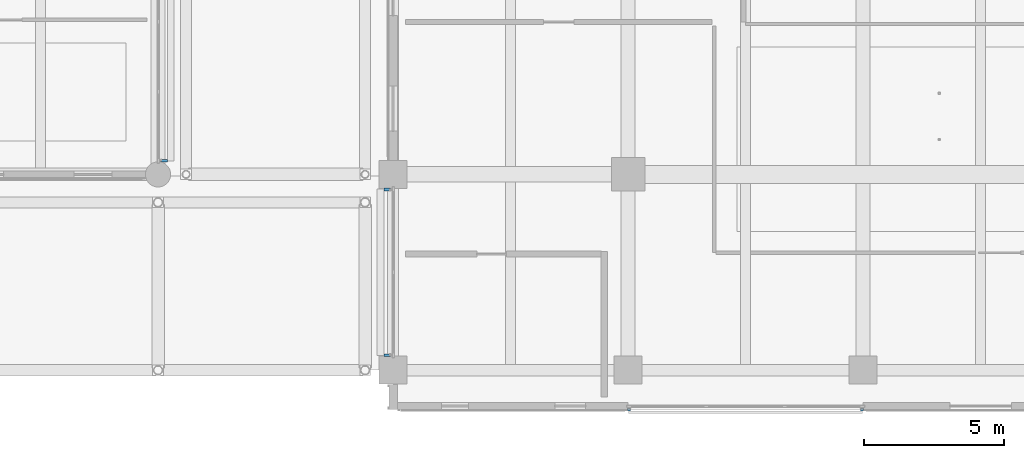
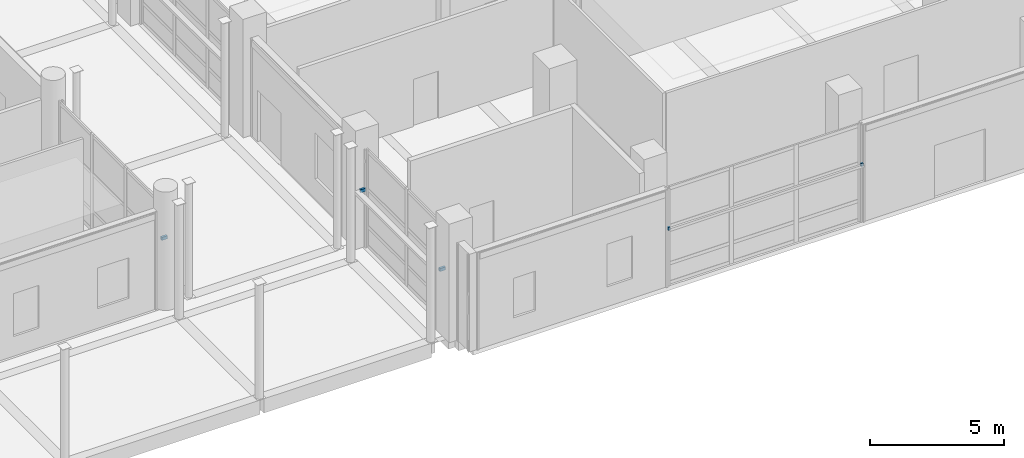
# One storey, part 74 of 140: 5 discrete accessories.
"""IFC4 building model written with IfcOpenShell, lengths in metres."""

from ifc_helpers import new_model, si_unit, direction, frame, origin, origin_2d, place, context, subcontext, project, spatial, rectangle, extrude, material, type_object, element, save


model = new_model("IFC4")

# Units and contexts
model_context = context("Model", 3, precision=1e-05, world=origin(), true_north=direction((0.0, 1.0)))
body_context = subcontext(model_context, "Body", "Model", "MODEL_VIEW")
ifc_project = project(units=[si_unit("LENGTHUNIT", "METRE"), si_unit("AREAUNIT", "SQUARE_METRE"), si_unit("VOLUMEUNIT", "CUBIC_METRE"), si_unit("PLANEANGLEUNIT", "RADIAN"), si_unit("MASSUNIT", "GRAM", prefix="KILO")], contexts=[model_context])

# Site, building, storey
site_placement = place(None, origin())
site = spatial("IfcSite", under=ifc_project, at=site_placement, CompositionType="ELEMENT")
building_placement = place(site_placement, origin())
building = spatial("IfcBuilding", under=site, at=building_placement, Name="Telukmera Botanical Conservatory", CompositionType="ELEMENT")
storey_placement = place(building_placement, origin())
storey = spatial("IfcBuildingStorey", under=building, at=storey_placement, Name="L00", CompositionType="ELEMENT", Elevation=0.0)

# Discrete accessories
ifc_material = material(Name="Steel S355", Category="steel")
discrete_accessory_type = type_object("IfcDiscreteAccessoryType", Name="Structural Steel Facade Outrigger Fin Bracket", PredefinedType="BRACKET", material=ifc_material)
discrete_accessory_placement = place(storey_placement, frame((42.2099609375, 18.0869140625, 2.580078125), z_axis=(0.0, 0.0, 1.0), x_axis=(0.0, 1.0, 0.0)))
element("IfcDiscreteAccessory", 1, at=discrete_accessory_placement, inside=storey, type_object=discrete_accessory_type, Name="Facade Outrigger Bracket V3:L00:E1 A", PredefinedType="BRACKET", context=body_context, shape_type="SweptSolid", body=[
    extrude(rectangle(XDim=0.10009765625, YDim=0.239990234375, at=origin_2d()), origin(), (0.0, 0.0, 1.0), 0.139892578125),
])
for number, where, z_axis, x_axis, name in (
    (2, (58.8369140625, 9.18505859375, 2.580078125), (0.0, 0.0, 1.0), (1.0, 0.0, 0.0), "Facade Outrigger Bracket V4:L00:S2 A"),
    (3, (67.1630859375, 9.18505859375, 2.580078125), (0.0, 0.0, 1.0), (1.0, 0.0, 0.0), "Facade Outrigger Bracket V4:L00:S2 B"),
):
    element("IfcDiscreteAccessory", number, at=place(storey_placement, frame(where, z_axis=z_axis, x_axis=x_axis)), inside=storey, type_object=discrete_accessory_type, Name=name, PredefinedType="BRACKET", context=body_context, shape_type="SweptSolid", body=[
        extrude(rectangle(XDim=0.10009765625, YDim=0.090087890625, at=origin_2d()), origin(), (0.0, 0.0, 1.0), 0.139892578125),
    ])
for number, where, z_axis, x_axis, name in (
    (4, (50.18994140625, 11.136962890625, 2.580078125), (0.0, 0.0, 1.0), (0.0, 1.0, 0.0), "Facade Outrigger Bracket V4:L00:W1 A"),
    (5, (50.18994140625, 17.06298828125, 2.580078125), (0.0, 0.0, 1.0), (0.0, 1.0, 0.0), "Facade Outrigger Bracket V4:L00:W1 B"),
):
    element("IfcDiscreteAccessory", number, at=place(storey_placement, frame(where, z_axis=z_axis, x_axis=x_axis)), inside=storey, type_object=discrete_accessory_type, Name=name, PredefinedType="BRACKET", context=body_context, shape_type="SweptSolid", body=[
        extrude(rectangle(XDim=0.10009765625, YDim=0.239990234375, at=origin_2d()), origin(), (0.0, 0.0, 1.0), 0.139892578125),
    ])

save(model, "model.ifc")
